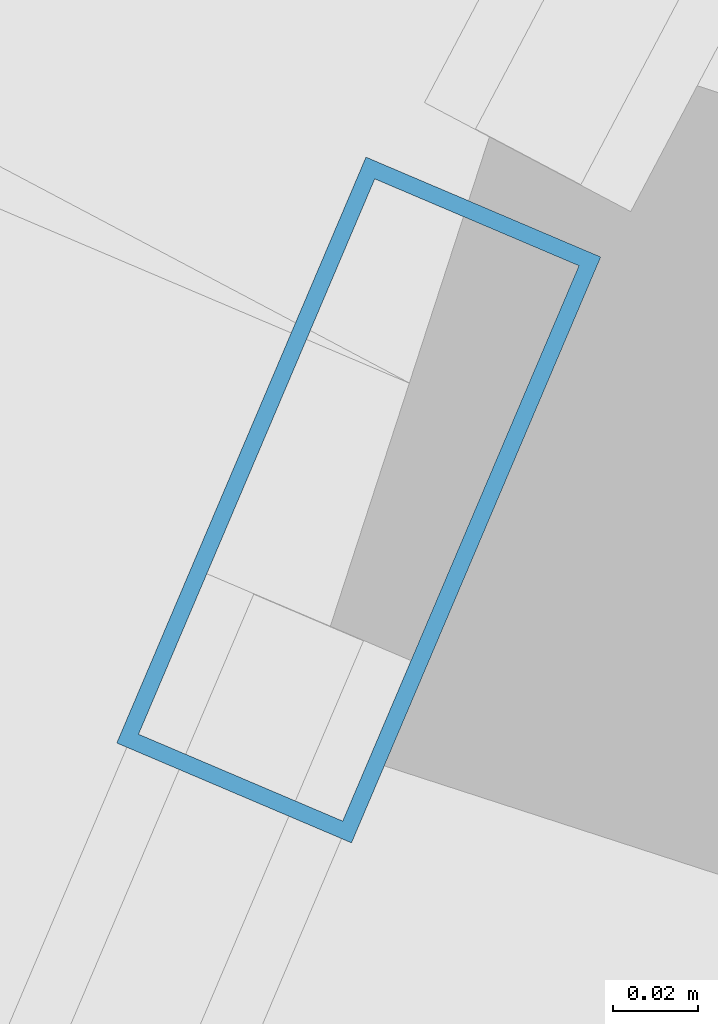
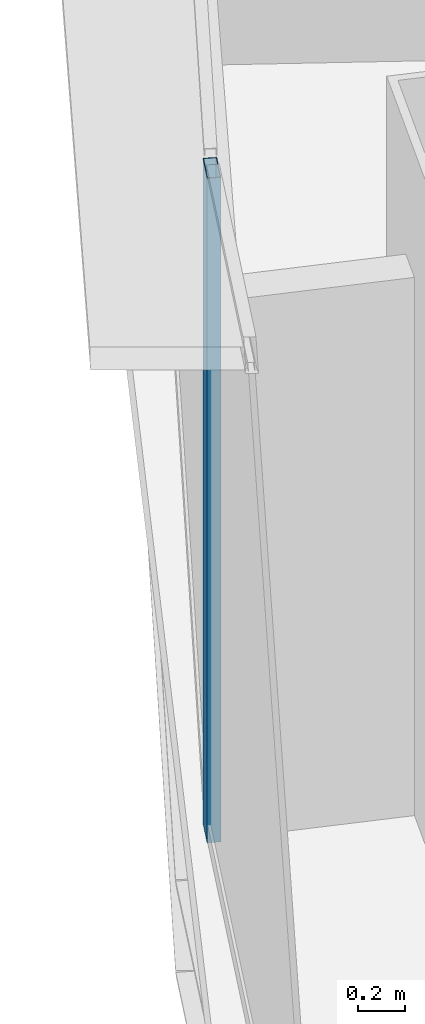
# One storey, part 8 of 42: 1 member, 1 element without a shape of its own.
"""IFC4 building model written with IfcOpenShell, lengths in metres."""

from ifc_helpers import new_model, si_unit, direction, frame, origin, origin_2d, place, context, subcontext, project, spatial, hollow_rectangle, extrude, source, transform, mapped, material, layer, layer_set, material_profile, profile_set, type_object, element, aggregate, save


model = new_model("IFC4")

# Units and contexts
model_context = context("Model", 3, precision=1e-05, world=origin(), true_north=direction((0.0, 1.0)))
body_context = subcontext(model_context, "Body", "Model", "MODEL_VIEW")
ifc_project = project(units=[si_unit("LENGTHUNIT", "METRE"), si_unit("AREAUNIT", "SQUARE_METRE"), si_unit("VOLUMEUNIT", "CUBIC_METRE"), si_unit("PLANEANGLEUNIT", "RADIAN"), si_unit("MASSUNIT", "GRAM", prefix="KILO"), si_unit("THERMODYNAMICTEMPERATUREUNIT", "KELVIN"), si_unit("POWERUNIT", "WATT")], contexts=[model_context])

# Site, building, storey
site_placement = place(None, origin())
site = spatial("IfcSite", under=ifc_project, at=site_placement, CompositionType="ELEMENT")
building_placement = place(site_placement, origin())
building = spatial("IfcBuilding", under=site, at=building_placement, Name="Yunzhuo Pagoda Commons", CompositionType="ELEMENT")
storey_placement = place(building_placement, frame((0.0, 0.0, 151.909912109375)))
storey = spatial("IfcBuildingStorey", under=building, at=storey_placement, Name="L38", CompositionType="ELEMENT", Elevation=151.909912109375)

# Curtain wall, member
ifc_material = material(Name="Anodized aluminium 6063-T6", Category="aluminium")
ifc_layer = layer(ifc_material, 0.14990234375)
ifc_layer_set = layer_set([ifc_layer], Name="Anodized aluminium 6063-T6")
curtain_wall_type = type_object("IfcCurtainWallType", Name="CW-MID Mid-Zone Ribbon Curtain Wall", PredefinedType="NOTDEFINED", material=ifc_layer_set)
curtain_wall_placement = place(storey_placement, origin())
curtain_wall = element("IfcCurtainWall", 1, at=curtain_wall_placement, inside=storey, type_object=curtain_wall_type, Name="L38 curtain wall CW-L38-F3B4", PredefinedType="NOTDEFINED")
ifc_material_profile = material_profile(ifc_material, hollow_rectangle(XDim=0.06005859375, YDim=0.14990234375, WallThickness=0.00390625, at=origin_2d()), Name="Anodized aluminium 6063-T6")
ifc_profile_set = profile_set([ifc_material_profile], Name="Anodized aluminium 6063-T6")
member_type = type_object("IfcMemberType", Name="CW-MID-M Mullion RHS 150x60x4", PredefinedType="MULLION", material=ifc_profile_set)
shared_shape = source(origin(), body_context, "Body", "SweptSolid", [
    extrude(hollow_rectangle(XDim=0.06005859375, YDim=0.14990234375, WallThickness=0.00390625, at=origin_2d()), origin(), (0.0, 0.0, 1.0), 3.420166015625),
])
member_placement = place(storey_placement, frame((16.805419921875, 43.80419921875, 0.0), z_axis=(0.0, 0.0, 1.0), x_axis=(0.92021678471, -0.391409081572, 0.0)))
member = element("IfcMember", 2, at=member_placement, type_object=member_type, Name="CW mullion 1", PredefinedType="MULLION", context=body_context, shape_type="MappedRepresentation", body=[
    mapped(shared_shape, transform((0.0, 0.0, 0.0), scale=1.0)),
])
aggregate(curtain_wall, [member])

save(model, "model.ifc")
